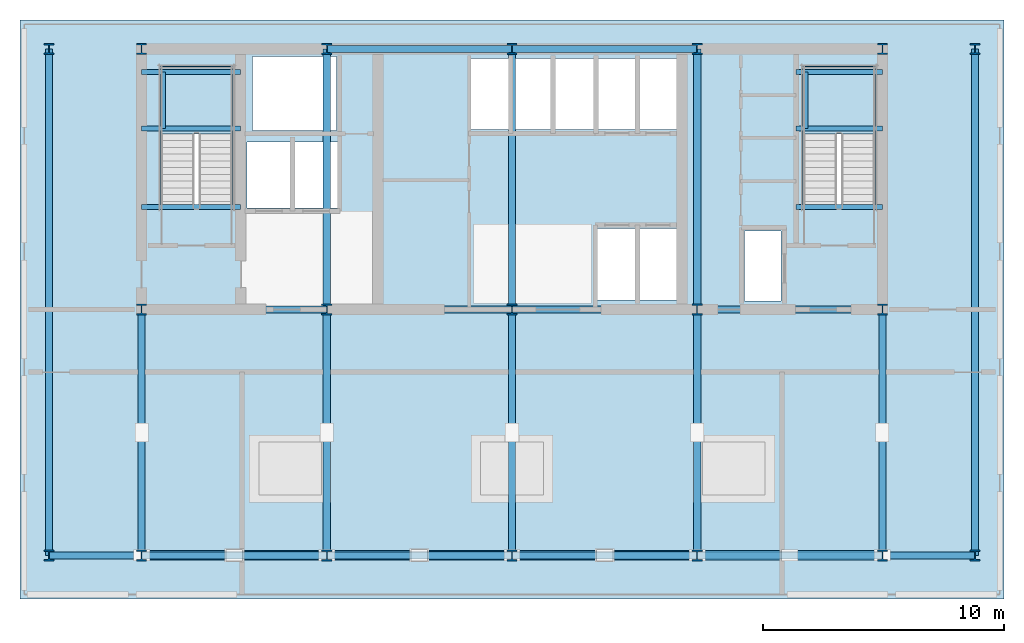
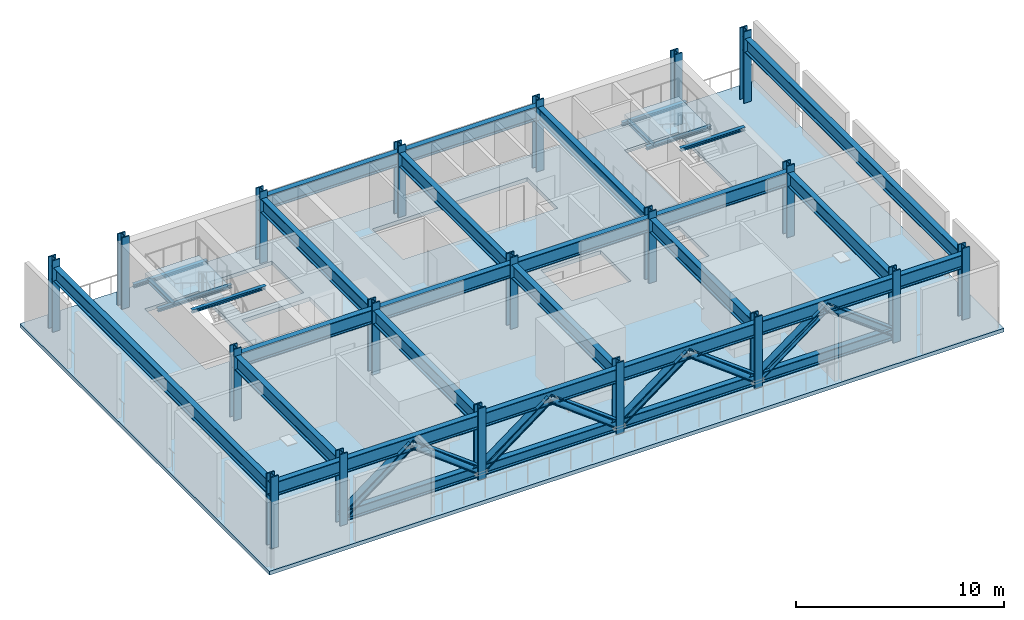
# One storey, part 1 of 8: 30 beams, 19 columns, 18 members, 3 slabs, 2 elements without a shape of their own.
"""IFC4 building model written with IfcOpenShell, lengths in metres."""

from ifc_helpers import new_model, si_unit, direction, frame, origin, origin_2d, place, context, subcontext, project, spatial, polyline, hollow_rectangle, hollow_circle, i_section, outline, extrude, material, layer, layer_set, material_profile, profile_set, type_object, element, aggregate, save


model = new_model("IFC4")

# Units and contexts
model_context = context("Model", 3, precision=1e-05, world=origin(), true_north=direction((0.0, 1.0)))
body_context = subcontext(model_context, "Body", "Model", "MODEL_VIEW")
ifc_project = project(units=[si_unit("LENGTHUNIT", "METRE"), si_unit("AREAUNIT", "SQUARE_METRE"), si_unit("VOLUMEUNIT", "CUBIC_METRE"), si_unit("PLANEANGLEUNIT", "RADIAN"), si_unit("MASSUNIT", "GRAM", prefix="KILO")], contexts=[model_context])

# Site, building, storey
site_placement = place(None, origin())
site = spatial("IfcSite", under=ifc_project, at=site_placement, CompositionType="ELEMENT")
building_placement = place(site_placement, origin())
building = spatial("IfcBuilding", under=site, at=building_placement, Name="Yelkora Congress Tower", CompositionType="ELEMENT")
storey_placement = place(building_placement, frame((0.0, 0.0, 196.10009765625)))
storey = spatial("IfcBuildingStorey", under=building, at=storey_placement, Name="L54", CompositionType="ELEMENT", Elevation=196.10009765625)

# Columns
ifc_material_1 = material(Name="Steel S460M", Category="steel")
ifc_material_profile_1 = material_profile(ifc_material_1, i_section(OverallWidth=0.41796875, OverallDepth=0.455078125, WebThickness=0.0419921875, FlangeThickness=0.068115234375, FilletRadius=0.014892578125, at=origin_2d()), Name="HD 400x551")
ifc_profile_set_1 = profile_set([ifc_material_profile_1], Name="Steel S460M")
column_type = type_object("IfcColumnType", Name="COL-HD-551", PredefinedType="COLUMN", material=ifc_profile_set_1)
for number, where, z_axis, x_axis, name in (
    (1, (23.0400390625, 35.39990234375, 0.0), (0.0, 0.0, 1.0), (1.0, 0.0, 0.0), "L54 Mega Column MC-S1"),
    (2, (23.0400390625, 46.199951171875, 0.0), (0.0, 0.0, 1.0), (1.0, 0.0, 0.0), "L54 Mega Column MC-N1"),
    (3, (23.0400390625, 25.199951171875, 0.0), (0.0, 0.0, 1.0), (1.0, 0.0, 0.0), "L54 Mega Column MC-D1"),
    (4, (30.719970703125, 35.39990234375, 0.0), (0.0, 0.0, 1.0), (1.0, 0.0, 0.0), "L54 Mega Column MC-S2"),
    (5, (30.719970703125, 46.199951171875, 0.0), (0.0, 0.0, 1.0), (1.0, 0.0, 0.0), "L54 Mega Column MC-N2"),
    (6, (30.719970703125, 25.199951171875, 0.0), (0.0, 0.0, 1.0), (1.0, 0.0, 0.0), "L54 Mega Column MC-D2"),
    (7, (38.39990234375, 35.39990234375, 0.0), (0.0, 0.0, 1.0), (1.0, 0.0, 0.0), "L54 Mega Column MC-S3"),
    (8, (38.39990234375, 46.199951171875, 0.0), (0.0, 0.0, 1.0), (1.0, 0.0, 0.0), "L54 Mega Column MC-N3"),
    (9, (38.39990234375, 25.199951171875, 0.0), (0.0, 0.0, 1.0), (1.0, 0.0, 0.0), "L54 Mega Column MC-D3"),
    (10, (46.080078125, 35.39990234375, 0.0), (0.0, 0.0, 1.0), (1.0, 0.0, 0.0), "L54 Mega Column MC-S4"),
    (11, (46.080078125, 46.199951171875, 0.0), (0.0, 0.0, 1.0), (1.0, 0.0, 0.0), "L54 Mega Column MC-N4"),
    (12, (46.080078125, 25.199951171875, 0.0), (0.0, 0.0, 1.0), (1.0, 0.0, 0.0), "L54 Mega Column MC-D4"),
    (13, (53.760009765625, 35.39990234375, 0.0), (0.0, 0.0, 1.0), (1.0, 0.0, 0.0), "L54 Mega Column MC-S5"),
    (14, (53.760009765625, 46.199951171875, 0.0), (0.0, 0.0, 1.0), (1.0, 0.0, 0.0), "L54 Mega Column MC-N5"),
    (15, (53.760009765625, 25.199951171875, 0.0), (0.0, 0.0, 1.0), (1.0, 0.0, 0.0), "L54 Mega Column MC-D5"),
    (16, (19.199951171875, 25.199951171875, 0.0), (0.0, 0.0, 1.0), (1.0, 0.0, 0.0), "L54 Mega Column MC-F1"),
    (17, (57.60009765625, 25.199951171875, 0.0), (0.0, 0.0, 1.0), (1.0, 0.0, 0.0), "L54 Mega Column MC-F2"),
    (18, (19.199951171875, 46.199951171875, 0.0), (0.0, 0.0, 1.0), (1.0, 0.0, 0.0), "L54 Mega Column MC-F3"),
    (19, (57.60009765625, 46.199951171875, 0.0), (0.0, 0.0, 1.0), (1.0, 0.0, 0.0), "L54 Mega Column MC-F4"),
):
    element("IfcColumn", number, at=place(storey_placement, frame(where, z_axis=z_axis, x_axis=x_axis)), inside=storey, type_object=column_type, Name=name, PredefinedType="COLUMN", context=body_context, shape_type="SweptSolid", body=[
        extrude(i_section(OverallWidth=0.41796875, OverallDepth=0.455078125, WebThickness=0.0419921875, FlangeThickness=0.068115234375, FilletRadius=0.014892578125, at=origin_2d()), origin(), (0.0, 0.0, 1.0), 4.199951171875),
    ])

# Beams
ifc_material_2 = material(Name="Steel S355J2", Category="steel")
ifc_material_profile_2 = material_profile(ifc_material_2, i_section(OverallWidth=0.199951171875, OverallDepth=0.18994140625, WebThickness=0.006591796875, FlangeThickness=0.010009765625, FilletRadius=0.01806640625, at=origin_2d()), Name="HEA 200")
ifc_profile_set_2 = profile_set([ifc_material_profile_2], Name="Steel S355J2")
beam_type_1 = type_object("IfcBeamType", Name="BM-LAND-HEA200", PredefinedType="BEAM", material=ifc_profile_set_2)
for number, where, z_axis, x_axis, name in (
    (20, (23.0400390625, 42.89990234375, 1.784423828125), (1.0, 0.0, 0.0), (0.0, 1.0, 0.0), "ST-01 L54 Landing Header Beam 1S"),
    (21, (23.0400390625, 45.25, 1.784423828125), (1.0, 0.0, 0.0), (0.0, 1.0, 0.0), "ST-01 L54 Landing Header Beam 1N"),
):
    element("IfcBeam", number, at=place(storey_placement, frame(where, z_axis=z_axis, x_axis=x_axis)), inside=storey, type_object=beam_type_1, Name=name, PredefinedType="BEAM", context=body_context, shape_type="SweptSolid", body=[
        extrude(i_section(OverallWidth=0.199951171875, OverallDepth=0.18994140625, WebThickness=0.006591796875, FlangeThickness=0.010009765625, FilletRadius=0.01806640625, at=origin_2d()), origin(), (0.0, 0.0, 1.0), 4.10986328125),
    ])
beam_1_placement = place(storey_placement, frame((23.93994140625, 42.89990234375, 1.784423828125), z_axis=(0.0, 1.0, 0.0), x_axis=(-1.0, 0.0, 0.0)))
element("IfcBeam", 22, at=beam_1_placement, inside=storey, type_object=beam_type_1, Name="ST-01 L54 Landing Trimmer Beam 1M", PredefinedType="BEAM", context=body_context, shape_type="SweptSolid", body=[
    extrude(i_section(OverallWidth=0.199951171875, OverallDepth=0.18994140625, WebThickness=0.006591796875, FlangeThickness=0.010009765625, FilletRadius=0.01806640625, at=origin_2d()), origin(), (0.0, 0.0, 1.0), 2.35009765625),
])
beam_2_placement = place(storey_placement, frame((23.0400390625, 39.639892578125, 3.6845703125), z_axis=(1.0, 0.0, 0.0), x_axis=(0.0, 1.0, 0.0)))
element("IfcBeam", 23, at=beam_2_placement, inside=storey, type_object=beam_type_1, Name="ST-01 L54 Floor Arrival Stringer Header Beam", PredefinedType="BEAM", context=body_context, shape_type="SweptSolid", body=[
    extrude(i_section(OverallWidth=0.199951171875, OverallDepth=0.18994140625, WebThickness=0.006591796875, FlangeThickness=0.010009765625, FilletRadius=0.01806640625, at=origin_2d()), origin(), (0.0, 0.0, 1.0), 4.10986328125),
])
for number, where, z_axis, x_axis, name in (
    (24, (50.179931640625, 42.89990234375, 1.784423828125), (1.0, 0.0, 0.0), (0.0, 1.0, 0.0), "ST-02 L54 Landing Header Beam 1S"),
    (25, (50.179931640625, 45.25, 1.784423828125), (1.0, 0.0, 0.0), (0.0, 1.0, 0.0), "ST-02 L54 Landing Header Beam 1N"),
):
    element("IfcBeam", number, at=place(storey_placement, frame(where, z_axis=z_axis, x_axis=x_axis)), inside=storey, type_object=beam_type_1, Name=name, PredefinedType="BEAM", context=body_context, shape_type="SweptSolid", body=[
        extrude(i_section(OverallWidth=0.199951171875, OverallDepth=0.18994140625, WebThickness=0.006591796875, FlangeThickness=0.010009765625, FilletRadius=0.01806640625, at=origin_2d()), origin(), (0.0, 0.0, 1.0), 3.580078125),
    ])
beam_3_placement = place(storey_placement, frame((50.580078125, 42.89990234375, 1.784423828125), z_axis=(0.0, 1.0, 0.0), x_axis=(-1.0, 0.0, 0.0)))
element("IfcBeam", 26, at=beam_3_placement, inside=storey, type_object=beam_type_1, Name="ST-02 L54 Landing Trimmer Beam 1M", PredefinedType="BEAM", context=body_context, shape_type="SweptSolid", body=[
    extrude(i_section(OverallWidth=0.199951171875, OverallDepth=0.18994140625, WebThickness=0.006591796875, FlangeThickness=0.010009765625, FilletRadius=0.01806640625, at=origin_2d()), origin(), (0.0, 0.0, 1.0), 2.35009765625),
])
beam_4_placement = place(storey_placement, frame((50.179931640625, 39.639892578125, 3.6845703125), z_axis=(1.0, 0.0, 0.0), x_axis=(0.0, 1.0, 0.0)))
element("IfcBeam", 27, at=beam_4_placement, inside=storey, type_object=beam_type_1, Name="ST-02 L54 Floor Arrival Stringer Header Beam", PredefinedType="BEAM", context=body_context, shape_type="SweptSolid", body=[
    extrude(i_section(OverallWidth=0.199951171875, OverallDepth=0.18994140625, WebThickness=0.006591796875, FlangeThickness=0.010009765625, FilletRadius=0.01806640625, at=origin_2d()), origin(), (0.0, 0.0, 1.0), 3.580078125),
])
ifc_material_profile_3 = material_profile(ifc_material_1, i_section(OverallWidth=0.302978515625, OverallDepth=0.81396484375, WebThickness=0.02099609375, FlangeThickness=0.0400390625, FilletRadius=0.030029296875, at=origin_2d()), Name="HEM 800")
ifc_profile_set_3 = profile_set([ifc_material_profile_3], Name="Steel S460M")
beam_type_2 = type_object("IfcBeamType", Name="BM-XFER-HEM800", PredefinedType="BEAM", material=ifc_profile_set_3)
beam_5_placement = place(storey_placement, frame((19.199951171875, 25.199951171875, 3.372802734375), z_axis=(1.0, 0.0, 0.0), x_axis=(0.0, 1.0, 0.0)))
element("IfcBeam", 28, at=beam_5_placement, inside=storey, type_object=beam_type_2, Name="L54 Spine Grid D Girder 1", PredefinedType="BEAM", context=body_context, shape_type="SweptSolid", body=[
    extrude(i_section(OverallWidth=0.302978515625, OverallDepth=0.81396484375, WebThickness=0.02099609375, FlangeThickness=0.0400390625, FilletRadius=0.030029296875, at=origin_2d()), origin(), (0.0, 0.0, 1.0), 3.840087890625),
])
for number, where, z_axis, x_axis, name in (
    (29, (23.0400390625, 25.199951171875, 3.372802734375), (1.0, 0.0, 0.0), (0.0, 1.0, 0.0), "L54 Spine Grid D Girder 2"),
    (30, (30.719970703125, 25.199951171875, 3.372802734375), (1.0, 0.0, 0.0), (0.0, 1.0, 0.0), "L54 Spine Grid D Girder 3"),
):
    element("IfcBeam", number, at=place(storey_placement, frame(where, z_axis=z_axis, x_axis=x_axis)), inside=storey, type_object=beam_type_2, Name=name, PredefinedType="BEAM", context=body_context, shape_type="SweptSolid", body=[
        extrude(i_section(OverallWidth=0.302978515625, OverallDepth=0.81396484375, WebThickness=0.02099609375, FlangeThickness=0.0400390625, FilletRadius=0.030029296875, at=origin_2d()), origin(), (0.0, 0.0, 1.0), 7.679931640625),
    ])
beam_6_placement = place(storey_placement, frame((38.39990234375, 25.199951171875, 3.372802734375), z_axis=(1.0, 0.0, 0.0), x_axis=(0.0, 1.0, 0.0)))
element("IfcBeam", 31, at=beam_6_placement, inside=storey, type_object=beam_type_2, Name="L54 Spine Grid D Girder 4", PredefinedType="BEAM", context=body_context, shape_type="SweptSolid", body=[
    extrude(i_section(OverallWidth=0.302978515625, OverallDepth=0.81396484375, WebThickness=0.02099609375, FlangeThickness=0.0400390625, FilletRadius=0.030029296875, at=origin_2d()), origin(), (0.0, 0.0, 1.0), 7.68017578125),
])
beam_7_placement = place(storey_placement, frame((46.080078125, 25.199951171875, 3.372802734375), z_axis=(1.0, 0.0, 0.0), x_axis=(0.0, 1.0, 0.0)))
element("IfcBeam", 32, at=beam_7_placement, inside=storey, type_object=beam_type_2, Name="L54 Spine Grid D Girder 5", PredefinedType="BEAM", context=body_context, shape_type="SweptSolid", body=[
    extrude(i_section(OverallWidth=0.302978515625, OverallDepth=0.81396484375, WebThickness=0.02099609375, FlangeThickness=0.0400390625, FilletRadius=0.030029296875, at=origin_2d()), origin(), (0.0, 0.0, 1.0), 7.679931640625),
])
beam_8_placement = place(storey_placement, frame((53.760009765625, 25.199951171875, 3.372802734375), z_axis=(1.0, 0.0, 0.0), x_axis=(0.0, 1.0, 0.0)))
element("IfcBeam", 33, at=beam_8_placement, inside=storey, type_object=beam_type_2, Name="L54 Spine Grid D Girder 6", PredefinedType="BEAM", context=body_context, shape_type="SweptSolid", body=[
    extrude(i_section(OverallWidth=0.302978515625, OverallDepth=0.81396484375, WebThickness=0.02099609375, FlangeThickness=0.0400390625, FilletRadius=0.030029296875, at=origin_2d()), origin(), (0.0, 0.0, 1.0), 3.840087890625),
])
beam_9_placement = place(storey_placement, frame((30.719970703125, 46.199951171875, 3.372802734375), z_axis=(1.0, 0.0, 0.0), x_axis=(0.0, 1.0, 0.0)))
element("IfcBeam", 34, at=beam_9_placement, inside=storey, type_object=beam_type_2, Name="L54 Core North Girder 3", PredefinedType="BEAM", context=body_context, shape_type="SweptSolid", body=[
    extrude(i_section(OverallWidth=0.302978515625, OverallDepth=0.81396484375, WebThickness=0.02099609375, FlangeThickness=0.0400390625, FilletRadius=0.030029296875, at=origin_2d()), origin(), (0.0, 0.0, 1.0), 7.679931640625),
])
beam_10_placement = place(storey_placement, frame((38.39990234375, 46.199951171875, 3.372802734375), z_axis=(1.0, 0.0, 0.0), x_axis=(0.0, 1.0, 0.0)))
element("IfcBeam", 35, at=beam_10_placement, inside=storey, type_object=beam_type_2, Name="L54 Core North Girder 4", PredefinedType="BEAM", context=body_context, shape_type="SweptSolid", body=[
    extrude(i_section(OverallWidth=0.302978515625, OverallDepth=0.81396484375, WebThickness=0.02099609375, FlangeThickness=0.0400390625, FilletRadius=0.030029296875, at=origin_2d()), origin(), (0.0, 0.0, 1.0), 7.68017578125),
])
for number, where, z_axis, x_axis, name in (
    (36, (23.0400390625, 35.39990234375, 3.372802734375), (1.0, 0.0, 0.0), (0.0, 1.0, 0.0), "L54 Core South Girder 1"),
    (37, (30.719970703125, 35.39990234375, 3.372802734375), (1.0, 0.0, 0.0), (0.0, 1.0, 0.0), "L54 Core South Girder 2"),
):
    element("IfcBeam", number, at=place(storey_placement, frame(where, z_axis=z_axis, x_axis=x_axis)), inside=storey, type_object=beam_type_2, Name=name, PredefinedType="BEAM", context=body_context, shape_type="SweptSolid", body=[
        extrude(i_section(OverallWidth=0.302978515625, OverallDepth=0.81396484375, WebThickness=0.02099609375, FlangeThickness=0.0400390625, FilletRadius=0.030029296875, at=origin_2d()), origin(), (0.0, 0.0, 1.0), 7.679931640625),
    ])
beam_11_placement = place(storey_placement, frame((38.39990234375, 35.39990234375, 3.372802734375), z_axis=(1.0, 0.0, 0.0), x_axis=(0.0, 1.0, 0.0)))
element("IfcBeam", 38, at=beam_11_placement, inside=storey, type_object=beam_type_2, Name="L54 Core South Girder 3", PredefinedType="BEAM", context=body_context, shape_type="SweptSolid", body=[
    extrude(i_section(OverallWidth=0.302978515625, OverallDepth=0.81396484375, WebThickness=0.02099609375, FlangeThickness=0.0400390625, FilletRadius=0.030029296875, at=origin_2d()), origin(), (0.0, 0.0, 1.0), 7.68017578125),
])
beam_12_placement = place(storey_placement, frame((46.080078125, 35.39990234375, 3.372802734375), z_axis=(1.0, 0.0, 0.0), x_axis=(0.0, 1.0, 0.0)))
element("IfcBeam", 39, at=beam_12_placement, inside=storey, type_object=beam_type_2, Name="L54 Core South Girder 4", PredefinedType="BEAM", context=body_context, shape_type="SweptSolid", body=[
    extrude(i_section(OverallWidth=0.302978515625, OverallDepth=0.81396484375, WebThickness=0.02099609375, FlangeThickness=0.0400390625, FilletRadius=0.030029296875, at=origin_2d()), origin(), (0.0, 0.0, 1.0), 7.679931640625),
])
for number, where, z_axis, x_axis, name in (
    (40, (23.0400390625, 25.199951171875, 3.372802734375), (0.0, 1.0, 0.0), (-1.0, 0.0, 0.0), "L54 Core Tie Girder MC-D1"),
    (41, (30.719970703125, 25.199951171875, 3.372802734375), (0.0, 1.0, 0.0), (-1.0, 0.0, 0.0), "L54 Core Tie Girder MC-D2"),
):
    element("IfcBeam", number, at=place(storey_placement, frame(where, z_axis=z_axis, x_axis=x_axis)), inside=storey, type_object=beam_type_2, Name=name, PredefinedType="BEAM", context=body_context, shape_type="SweptSolid", body=[
        extrude(i_section(OverallWidth=0.302978515625, OverallDepth=0.81396484375, WebThickness=0.02099609375, FlangeThickness=0.0400390625, FilletRadius=0.030029296875, at=origin_2d()), origin(), (0.0, 0.0, 1.0), 10.199951171875),
    ])
beam_13_placement = place(storey_placement, frame((30.719970703125, 35.39990234375, 3.372802734375), z_axis=(0.0, 1.0, 0.0), x_axis=(-1.0, 0.0, 0.0)))
element("IfcBeam", 42, at=beam_13_placement, inside=storey, type_object=beam_type_2, Name="L54 Core Tie Girder MC-S2", PredefinedType="BEAM", context=body_context, shape_type="SweptSolid", body=[
    extrude(i_section(OverallWidth=0.302978515625, OverallDepth=0.81396484375, WebThickness=0.02099609375, FlangeThickness=0.0400390625, FilletRadius=0.030029296875, at=origin_2d()), origin(), (0.0, 0.0, 1.0), 10.800048828125),
])
beam_14_placement = place(storey_placement, frame((38.39990234375, 25.199951171875, 3.372802734375), z_axis=(0.0, 1.0, 0.0), x_axis=(-1.0, 0.0, 0.0)))
element("IfcBeam", 43, at=beam_14_placement, inside=storey, type_object=beam_type_2, Name="L54 Core Tie Girder MC-D3", PredefinedType="BEAM", context=body_context, shape_type="SweptSolid", body=[
    extrude(i_section(OverallWidth=0.302978515625, OverallDepth=0.81396484375, WebThickness=0.02099609375, FlangeThickness=0.0400390625, FilletRadius=0.030029296875, at=origin_2d()), origin(), (0.0, 0.0, 1.0), 10.199951171875),
])
beam_15_placement = place(storey_placement, frame((38.39990234375, 35.39990234375, 3.372802734375), z_axis=(0.0, 1.0, 0.0), x_axis=(-1.0, 0.0, 0.0)))
element("IfcBeam", 44, at=beam_15_placement, inside=storey, type_object=beam_type_2, Name="L54 Core Tie Girder MC-S3", PredefinedType="BEAM", context=body_context, shape_type="SweptSolid", body=[
    extrude(i_section(OverallWidth=0.302978515625, OverallDepth=0.81396484375, WebThickness=0.02099609375, FlangeThickness=0.0400390625, FilletRadius=0.030029296875, at=origin_2d()), origin(), (0.0, 0.0, 1.0), 10.800048828125),
])
beam_16_placement = place(storey_placement, frame((46.080078125, 25.199951171875, 3.372802734375), z_axis=(0.0, 1.0, 0.0), x_axis=(-1.0, 0.0, 0.0)))
element("IfcBeam", 45, at=beam_16_placement, inside=storey, type_object=beam_type_2, Name="L54 Core Tie Girder MC-D4", PredefinedType="BEAM", context=body_context, shape_type="SweptSolid", body=[
    extrude(i_section(OverallWidth=0.302978515625, OverallDepth=0.81396484375, WebThickness=0.02099609375, FlangeThickness=0.0400390625, FilletRadius=0.030029296875, at=origin_2d()), origin(), (0.0, 0.0, 1.0), 10.199951171875),
])
beam_17_placement = place(storey_placement, frame((46.080078125, 35.39990234375, 3.372802734375), z_axis=(0.0, 1.0, 0.0), x_axis=(-1.0, 0.0, 0.0)))
element("IfcBeam", 46, at=beam_17_placement, inside=storey, type_object=beam_type_2, Name="L54 Core Tie Girder MC-S4", PredefinedType="BEAM", context=body_context, shape_type="SweptSolid", body=[
    extrude(i_section(OverallWidth=0.302978515625, OverallDepth=0.81396484375, WebThickness=0.02099609375, FlangeThickness=0.0400390625, FilletRadius=0.030029296875, at=origin_2d()), origin(), (0.0, 0.0, 1.0), 10.800048828125),
])
beam_18_placement = place(storey_placement, frame((53.760009765625, 25.199951171875, 3.372802734375), z_axis=(0.0, 1.0, 0.0), x_axis=(-1.0, 0.0, 0.0)))
element("IfcBeam", 47, at=beam_18_placement, inside=storey, type_object=beam_type_2, Name="L54 Core Tie Girder MC-D5", PredefinedType="BEAM", context=body_context, shape_type="SweptSolid", body=[
    extrude(i_section(OverallWidth=0.302978515625, OverallDepth=0.81396484375, WebThickness=0.02099609375, FlangeThickness=0.0400390625, FilletRadius=0.030029296875, at=origin_2d()), origin(), (0.0, 0.0, 1.0), 10.199951171875),
])
for number, where, z_axis, x_axis, name in (
    (48, (19.199951171875, 25.199951171875, 3.372802734375), (0.0, 1.0, 0.0), (-1.0, 0.0, 0.0), "L54 Neck Flank Girder MC-F1"),
    (49, (57.60009765625, 25.199951171875, 3.372802734375), (0.0, 1.0, 0.0), (-1.0, 0.0, 0.0), "L54 Neck Flank Girder MC-F2"),
):
    element("IfcBeam", number, at=place(storey_placement, frame(where, z_axis=z_axis, x_axis=x_axis)), inside=storey, type_object=beam_type_2, Name=name, PredefinedType="BEAM", context=body_context, shape_type="SweptSolid", body=[
        extrude(i_section(OverallWidth=0.302978515625, OverallDepth=0.81396484375, WebThickness=0.02099609375, FlangeThickness=0.0400390625, FilletRadius=0.030029296875, at=origin_2d()), origin(), (0.0, 0.0, 1.0), 21.0),
    ])

# Members
ifc_material_profile_4 = material_profile(ifc_material_2, hollow_circle(Radius=0.161865234375, WallThickness=0.012451171875, at=origin_2d()), Name="CHS 323.9x12.5")
ifc_profile_set_4 = profile_set([ifc_material_profile_4], Name="Steel S355J2")
member_type_1 = type_object("IfcMemberType", Name="MEM-BRACE-CHS324", PredefinedType="BRACE", material=ifc_profile_set_4)
for number, where, z_axis, x_axis, name in (
    (50, (30.719970703125, 25.199951171875, 0.2998046875), (-0.790025174666, 0.0, 0.613074402821), (0.0, -1.0, 0.0), "Turbine Portal Strut 1R"),
    (51, (38.39990234375, 25.199951171875, 0.2998046875), (-0.790006295099, 0.0, 0.613098730797), (0.0, -1.0, 0.0), "Turbine Portal Strut 2R"),
    (52, (46.080078125, 25.199951171875, 0.2998046875), (-0.790025174666, 0.0, 0.613074402821), (0.0, -1.0, 0.0), "Turbine Portal Strut 3R"),
):
    element("IfcMember", number, at=place(storey_placement, frame(where, z_axis=z_axis, x_axis=x_axis)), inside=storey, type_object=member_type_1, Name=name, PredefinedType="BRACE", context=body_context, shape_type="SweptSolid", body=[
        extrude(hollow_circle(Radius=0.161865234375, WallThickness=0.012451171875, at=origin_2d()), origin(), (0.0, 0.0, 1.0), 4.860595703125),
    ])
ifc_material_profile_5 = material_profile(ifc_material_1, i_section(OverallWidth=0.40087890625, OverallDepth=0.39892578125, WebThickness=0.02490234375, FlangeThickness=0.03955078125, FilletRadius=0.014892578125, at=origin_2d()), Name="HD 400x314")
ifc_profile_set_5 = profile_set([ifc_material_profile_5], Name="Steel S460M")
member_type_2 = type_object("IfcMemberType", Name="MEM-BRACE-HD314", PredefinedType="BRACE", material=ifc_profile_set_5)
member_1_placement = place(storey_placement, frame((23.0400390625, 25.199951171875, 0.449951171875), z_axis=(0.8, 0.0, 0.6), x_axis=(0.0, 1.0, 0.0)))
element("IfcMember", 53, at=member_1_placement, inside=storey, type_object=member_type_2, Name="N3 L54 Outrigger Belt Diagonal 1A", PredefinedType="BRACE", context=body_context, shape_type="SweptSolid", body=[
    extrude(i_section(OverallWidth=0.40087890625, OverallDepth=0.39892578125, WebThickness=0.02490234375, FlangeThickness=0.03955078125, FilletRadius=0.014892578125, at=origin_2d()), origin(), (0.0, 0.0, 1.0), 4.7998046875),
])
for number, where, z_axis, x_axis, name in (
    (54, (30.719970703125, 25.199951171875, 0.449951171875), (-0.800018310174, 0.0, 0.599975585658), (0.0, -1.0, 0.0), "N3 L54 Outrigger Belt Diagonal 1B"),
    (55, (30.719970703125, 25.199951171875, 0.449951171875), (0.800018310174, 0.0, 0.599975585658), (0.0, 1.0, 0.0), "N3 L54 Outrigger Belt Diagonal 2A"),
):
    element("IfcMember", number, at=place(storey_placement, frame(where, z_axis=z_axis, x_axis=x_axis)), inside=storey, type_object=member_type_2, Name=name, PredefinedType="BRACE", context=body_context, shape_type="SweptSolid", body=[
        extrude(i_section(OverallWidth=0.40087890625, OverallDepth=0.39892578125, WebThickness=0.02490234375, FlangeThickness=0.03955078125, FilletRadius=0.014892578125, at=origin_2d()), origin(), (0.0, 0.0, 1.0), 4.800048828125),
    ])
member_2_placement = place(storey_placement, frame((38.39990234375, 25.199951171875, 0.449951171875), z_axis=(-0.8, 0.0, 0.6), x_axis=(0.0, -1.0, 0.0)))
element("IfcMember", 56, at=member_2_placement, inside=storey, type_object=member_type_2, Name="N3 L54 Outrigger Belt Diagonal 2B", PredefinedType="BRACE", context=body_context, shape_type="SweptSolid", body=[
    extrude(i_section(OverallWidth=0.40087890625, OverallDepth=0.39892578125, WebThickness=0.02490234375, FlangeThickness=0.03955078125, FilletRadius=0.014892578125, at=origin_2d()), origin(), (0.0, 0.0, 1.0), 4.7998046875),
])
for number, where, z_axis, x_axis, name in (
    (57, (38.39990234375, 25.199951171875, 0.449951171875), (0.800018310174, 0.0, 0.599975585658), (0.0, 1.0, 0.0), "N3 L54 Outrigger Belt Diagonal 3A"),
    (58, (46.080078125, 25.199951171875, 0.449951171875), (-0.800018310174, 0.0, 0.599975585658), (0.0, -1.0, 0.0), "N3 L54 Outrigger Belt Diagonal 3B"),
):
    element("IfcMember", number, at=place(storey_placement, frame(where, z_axis=z_axis, x_axis=x_axis)), inside=storey, type_object=member_type_2, Name=name, PredefinedType="BRACE", context=body_context, shape_type="SweptSolid", body=[
        extrude(i_section(OverallWidth=0.40087890625, OverallDepth=0.39892578125, WebThickness=0.02490234375, FlangeThickness=0.03955078125, FilletRadius=0.014892578125, at=origin_2d()), origin(), (0.0, 0.0, 1.0), 4.800048828125),
    ])
member_3_placement = place(storey_placement, frame((46.080078125, 25.199951171875, 0.449951171875), z_axis=(0.8, 0.0, 0.6), x_axis=(0.0, 1.0, 0.0)))
element("IfcMember", 59, at=member_3_placement, inside=storey, type_object=member_type_2, Name="N3 L54 Outrigger Belt Diagonal 4A", PredefinedType="BRACE", context=body_context, shape_type="SweptSolid", body=[
    extrude(i_section(OverallWidth=0.40087890625, OverallDepth=0.39892578125, WebThickness=0.02490234375, FlangeThickness=0.03955078125, FilletRadius=0.014892578125, at=origin_2d()), origin(), (0.0, 0.0, 1.0), 4.7998046875),
])
member_4_placement = place(storey_placement, frame((53.760009765625, 25.199951171875, 0.449951171875), z_axis=(-0.800018310174, 0.0, 0.599975585658), x_axis=(0.0, -1.0, 0.0)))
element("IfcMember", 60, at=member_4_placement, inside=storey, type_object=member_type_2, Name="N3 L54 Outrigger Belt Diagonal 4B", PredefinedType="BRACE", context=body_context, shape_type="SweptSolid", body=[
    extrude(i_section(OverallWidth=0.40087890625, OverallDepth=0.39892578125, WebThickness=0.02490234375, FlangeThickness=0.03955078125, FilletRadius=0.014892578125, at=origin_2d()), origin(), (0.0, 0.0, 1.0), 4.800048828125),
])
ifc_material_profile_6 = material_profile(ifc_material_1, i_section(OverallWidth=0.304931640625, OverallDepth=0.6201171875, WebThickness=0.02099609375, FlangeThickness=0.0400390625, FilletRadius=0.027099609375, at=origin_2d()), Name="HEM 600")
ifc_profile_set_6 = profile_set([ifc_material_profile_6], Name="Steel S460M")
member_type_3 = type_object("IfcMemberType", Name="MEM-CHORD-HEM600", PredefinedType="CHORD", material=ifc_profile_set_6)
for number, where, z_axis, x_axis, name in (
    (61, (23.0400390625, 25.199951171875, 0.449951171875), (1.0, 0.0, 0.0), (0.0, 1.0, 0.0), "N3 L54 Belt Truss Chord 1"),
    (62, (30.719970703125, 25.199951171875, 0.449951171875), (1.0, 0.0, 0.0), (0.0, 1.0, 0.0), "N3 L54 Belt Truss Chord 2"),
):
    element("IfcMember", number, at=place(storey_placement, frame(where, z_axis=z_axis, x_axis=x_axis)), inside=storey, type_object=member_type_3, Name=name, PredefinedType="CHORD", context=body_context, shape_type="SweptSolid", body=[
        extrude(i_section(OverallWidth=0.304931640625, OverallDepth=0.6201171875, WebThickness=0.02099609375, FlangeThickness=0.0400390625, FilletRadius=0.027099609375, at=origin_2d()), origin(), (0.0, 0.0, 1.0), 7.679931640625),
    ])
member_5_placement = place(storey_placement, frame((38.39990234375, 25.199951171875, 0.449951171875), z_axis=(1.0, 0.0, 0.0), x_axis=(0.0, 1.0, 0.0)))
element("IfcMember", 63, at=member_5_placement, inside=storey, type_object=member_type_3, Name="N3 L54 Belt Truss Chord 3", PredefinedType="CHORD", context=body_context, shape_type="SweptSolid", body=[
    extrude(i_section(OverallWidth=0.304931640625, OverallDepth=0.6201171875, WebThickness=0.02099609375, FlangeThickness=0.0400390625, FilletRadius=0.027099609375, at=origin_2d()), origin(), (0.0, 0.0, 1.0), 7.68017578125),
])
member_6_placement = place(storey_placement, frame((46.080078125, 25.199951171875, 0.449951171875), z_axis=(1.0, 0.0, 0.0), x_axis=(0.0, 1.0, 0.0)))
element("IfcMember", 64, at=member_6_placement, inside=storey, type_object=member_type_3, Name="N3 L54 Belt Truss Chord 4", PredefinedType="CHORD", context=body_context, shape_type="SweptSolid", body=[
    extrude(i_section(OverallWidth=0.304931640625, OverallDepth=0.6201171875, WebThickness=0.02099609375, FlangeThickness=0.0400390625, FilletRadius=0.027099609375, at=origin_2d()), origin(), (0.0, 0.0, 1.0), 7.679931640625),
])
ifc_material_profile_7 = material_profile(ifc_material_2, hollow_rectangle(XDim=0.300048828125, YDim=0.300048828125, WallThickness=0.01611328125, at=origin_2d()), Name="SHS 300x300x16")
ifc_profile_set_7 = profile_set([ifc_material_profile_7], Name="Steel S355J2")
member_type_4 = type_object("IfcMemberType", Name="MEM-STRUT-SHS300", PredefinedType="STRUT", material=ifc_profile_set_7)
for number, where, z_axis, x_axis, name in (
    (65, (23.0400390625, 25.199951171875, 0.2998046875), (0.790006295099, 0.0, 0.613098730797), (0.0, 1.0, 0.0), "Turbine Portal Strut 1L"),
    (66, (30.719970703125, 25.199951171875, 0.2998046875), (0.790025174666, 0.0, 0.613074402821), (0.0, 1.0, 0.0), "Turbine Portal Strut 2L"),
    (67, (38.39990234375, 25.199951171875, 0.2998046875), (0.790025174666, 0.0, 0.613074402821), (0.0, 1.0, 0.0), "Turbine Portal Strut 3L"),
):
    element("IfcMember", number, at=place(storey_placement, frame(where, z_axis=z_axis, x_axis=x_axis)), inside=storey, type_object=member_type_4, Name=name, PredefinedType="STRUT", context=body_context, shape_type="SweptSolid", body=[
        extrude(hollow_rectangle(XDim=0.300048828125, YDim=0.300048828125, WallThickness=0.01611328125, at=origin_2d()), origin(), (0.0, 0.0, 1.0), 4.860595703125),
    ])

# Stair, slab
ifc_material_3 = material(Name="Concrete C40/50", Category="concrete")
stair_type = type_object("IfcStairType", Name="STAIR-HT-1420-R24-175", PredefinedType="HALF_TURN_STAIR", material=ifc_material_3)
stair_1_placement = place(storey_placement, origin())
stair_1 = element("IfcStair", 68, at=stair_1_placement, inside=storey, type_object=stair_type, Name="West Core Protected Exit Stair ST-01 (L54)", PredefinedType="HALF_TURN_STAIR")
ifc_layer_1 = layer(ifc_material_3, 0.219970703125)
ifc_layer_set_1 = layer_set([ifc_layer_1], Name="Concrete C40/50")
slab_type_1 = type_object("IfcSlabType", Name="SLAB-LANDING-220", PredefinedType="LANDING", material=ifc_layer_set_1)
slab_1_placement = place(storey_placement, frame((0.0, 0.0, 1.8798828125)))
slab_1 = element("IfcSlab", 69, at=slab_1_placement, type_object=slab_type_1, Name="ST-01 L54 Half Landing 1", PredefinedType="LANDING", context=body_context, shape_type="SweptSolid", body=[
    extrude(outline(polyline([(26.820068359375, 42.679931640625), (26.820068359375, 45.469970703125), (23.820068359375, 45.469970703125), (23.820068359375, 42.679931640625), (26.820068359375, 42.679931640625)])), origin(), (0.0, 0.0, 1.0), 0.219970703125),
])
aggregate(stair_1, [slab_1])

stair_2_placement = place(storey_placement, origin())
stair_2 = element("IfcStair", 70, at=stair_2_placement, inside=storey, type_object=stair_type, Name="East Core Protected Exit Stair ST-02 (L54)", PredefinedType="HALF_TURN_STAIR")
slab_2_placement = place(storey_placement, frame((0.0, 0.0, 1.8798828125)))
slab_2 = element("IfcSlab", 71, at=slab_2_placement, type_object=slab_type_1, Name="ST-02 L54 Half Landing 1", PredefinedType="LANDING", context=body_context, shape_type="SweptSolid", body=[
    extrude(outline(polyline([(53.4599609375, 42.679931640625), (53.4599609375, 45.469970703125), (50.4599609375, 45.469970703125), (50.4599609375, 42.679931640625), (53.4599609375, 42.679931640625)])), origin(), (0.0, 0.0, 1.0), 0.219970703125),
])
aggregate(stair_2, [slab_2])

# Slab
ifc_layer_2 = layer(ifc_material_3, 0.219970703125)
ifc_layer_set_2 = layer_set([ifc_layer_2], Name="Concrete C40/50")
slab_type_2 = type_object("IfcSlabType", Name="SLAB-TWR-220", PredefinedType="FLOOR", material=ifc_layer_set_2)
slab_3_placement = place(storey_placement, frame((0.0, 0.0, -0.22021484375)))
element("IfcSlab", 72, at=slab_3_placement, inside=storey, type_object=slab_type_2, Name="L54 Structural Floor Slab", PredefinedType="FLOOR", context=body_context, shape_type="SweptSolid", body=[
    extrude(outline(polyline([(18.0, 23.39990234375), (58.800048828125, 23.39990234375), (58.800048828125, 47.39990234375), (18.0, 47.39990234375), (18.0, 23.39990234375)]), holes=[polyline([(23.820068359375, 39.6298828125), (26.820068359375, 39.6298828125), (26.820068359375, 45.469970703125), (23.820068359375, 45.469970703125), (23.820068359375, 39.6298828125)]), polyline([(50.4599609375, 39.6298828125), (53.4599609375, 39.6298828125), (53.4599609375, 45.469970703125), (50.4599609375, 45.469970703125), (50.4599609375, 39.6298828125)]), polyline([(48.050048828125, 35.75), (49.550048828125, 35.75), (49.550048828125, 38.64990234375), (48.050048828125, 38.64990234375), (48.050048828125, 35.75)]), polyline([(36.64990234375, 42.85009765625), (45.25, 42.85009765625), (45.25, 45.800048828125), (36.64990234375, 45.800048828125), (36.64990234375, 42.85009765625)]), polyline([(41.949951171875, 35.800048828125), (45.25, 35.800048828125), (45.25, 38.75), (41.949951171875, 38.75), (41.949951171875, 35.800048828125)]), polyline([(27.419921875, 39.60009765625), (31.179931640625, 39.60009765625), (31.179931640625, 42.35009765625), (27.419921875, 42.35009765625), (27.419921875, 39.60009765625)]), polyline([(27.64990234375, 42.820068359375), (31.1201171875, 42.820068359375), (31.1201171875, 45.8798828125), (27.64990234375, 45.8798828125), (27.64990234375, 42.820068359375)])]), origin(), (0.0, 0.0, 1.0), 0.22021484375),
])

save(model, "model.ifc")
